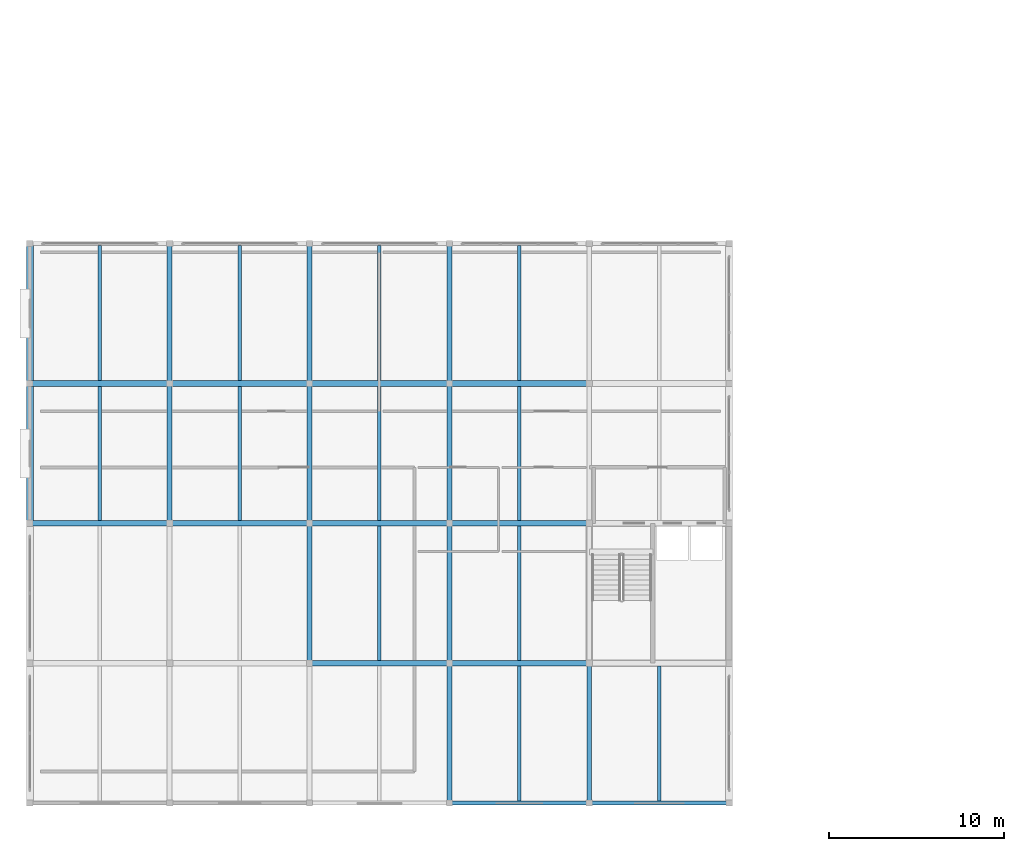
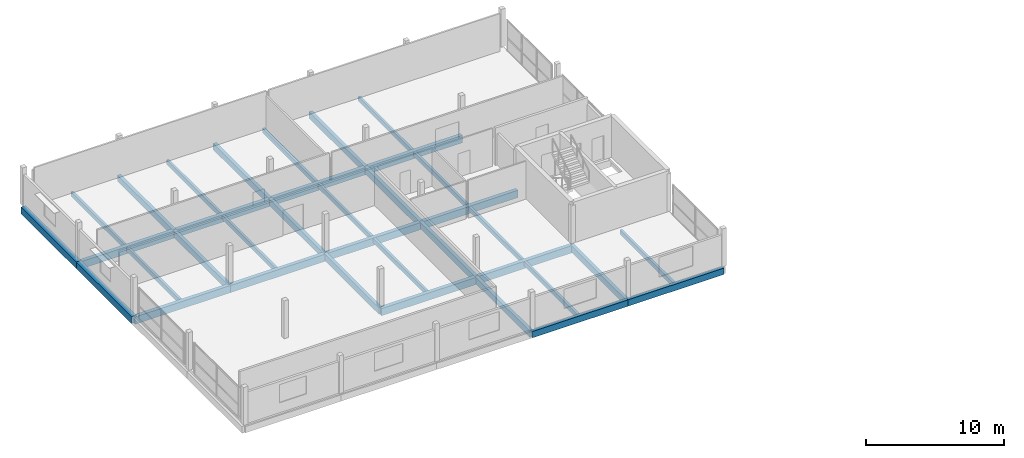
# One storey, part 4 of 22: 36 beams.
"""IFC4 building model written with IfcOpenShell, lengths in metres."""

from ifc_helpers import new_model, si_unit, direction, frame, origin, origin_2d, place, context, subcontext, project, spatial, rectangle, extrude, material, material_profile, profile_set, type_object, element, save


model = new_model("IFC4")

# Units and contexts
model_context = context("Model", 3, precision=1e-05, world=origin(), true_north=direction((0.0, 1.0)))
body_context = subcontext(model_context, "Body", "Model", "MODEL_VIEW")
ifc_project = project(units=[si_unit("LENGTHUNIT", "METRE"), si_unit("AREAUNIT", "SQUARE_METRE"), si_unit("VOLUMEUNIT", "CUBIC_METRE"), si_unit("PLANEANGLEUNIT", "RADIAN"), si_unit("MASSUNIT", "GRAM", prefix="KILO")], contexts=[model_context])

# Site, building, storey
site_placement = place(None, origin())
site = spatial("IfcSite", under=ifc_project, at=site_placement, CompositionType="ELEMENT")
building_placement = place(site_placement, origin())
building = spatial("IfcBuilding", under=site, at=building_placement, Name="Vharandega Faculty of Natural Sciences", CompositionType="ELEMENT")
storey_placement = place(building_placement, frame((0.0, 0.0, 28.800048828125)))
storey = spatial("IfcBuildingStorey", under=building, at=storey_placement, Name="L07", CompositionType="ELEMENT", Elevation=28.800048828125)

# Beams
ifc_material_1 = material(Name="Glulam GL28h", Category="wood")
ifc_material_profile_1 = material_profile(ifc_material_1, rectangle(XDim=0.280029296875, YDim=0.56005859375, at=origin_2d()), Name="GL28h 280x560")
ifc_profile_set_1 = profile_set([ifc_material_profile_1], Name="Glulam GL28h")
beam_type_1 = type_object("IfcBeamType", Name="Glulam Floor Beam 280x560", PredefinedType="BEAM", material=ifc_profile_set_1)
for number, where, z_axis, x_axis, name in (
    (1, (8.0, 48.0, -0.47998046875), (0.0, 1.0, 0.0), (-1.0, 0.0, 0.0), "Beam L07 2/G-H"),
    (2, (8.0, 56.0, -0.47998046875), (0.0, 1.0, 0.0), (-1.0, 0.0, 0.0), "Beam L07 2/H-J"),
    (3, (16.0, 40.0, -0.47998046875), (0.0, 1.0, 0.0), (-1.0, 0.0, 0.0), "Beam L07 3/F-G"),
    (4, (16.0, 48.0, -0.47998046875), (0.0, 1.0, 0.0), (-1.0, 0.0, 0.0), "Beam L07 3/G-H"),
    (5, (16.0, 56.0, -0.47998046875), (0.0, 1.0, 0.0), (-1.0, 0.0, 0.0), "Beam L07 3/H-J"),
    (6, (24.0, 32.0, -0.47998046875), (0.0, 1.0, 0.0), (-1.0, 0.0, 0.0), "Beam L07 4/E-F"),
    (7, (24.0, 40.0, -0.47998046875), (0.0, 1.0, 0.0), (-1.0, 0.0, 0.0), "Beam L07 4/F-G"),
    (8, (24.0, 48.0, -0.47998046875), (0.0, 1.0, 0.0), (-1.0, 0.0, 0.0), "Beam L07 4/G-H"),
    (9, (24.0, 56.0, -0.47998046875), (0.0, 1.0, 0.0), (-1.0, 0.0, 0.0), "Beam L07 4/H-J"),
    (10, (32.0, 32.0, -0.47998046875), (0.0, 1.0, 0.0), (-1.0, 0.0, 0.0), "Beam L07 5/E-F"),
):
    element("IfcBeam", number, at=place(storey_placement, frame(where, z_axis=z_axis, x_axis=x_axis)), inside=storey, type_object=beam_type_1, Name=name, PredefinedType="BEAM", context=body_context, shape_type="SweptSolid", body=[
        extrude(rectangle(XDim=0.280029296875, YDim=0.56005859375, at=origin_2d()), origin(), (0.0, 0.0, 1.0), 8.0),
    ])
ifc_material_2 = material(Name="Glulam GL28h", Category="wood")
ifc_material_profile_2 = material_profile(ifc_material_2, rectangle(XDim=0.320068359375, YDim=0.639892578125, at=origin_2d()), Name="GL28h 320x640")
ifc_profile_set_2 = profile_set([ifc_material_profile_2], Name="Glulam GL28h")
beam_type_2 = type_object("IfcBeamType", Name="Glulam Floor Beam 320x640", PredefinedType="BEAM", material=ifc_profile_set_2)
for number, where, z_axis, x_axis, name in (
    (11, (16.0, 40.0, -0.52001953125), (1.0, 0.0, 0.0), (0.0, 1.0, 0.0), "Beam L07 F/3-4"),
    (12, (24.0, 40.0, -0.52001953125), (1.0, 0.0, 0.0), (0.0, 1.0, 0.0), "Beam L07 F/4-5"),
    (13, (0.0, 48.0, -0.52001953125), (1.0, 0.0, 0.0), (0.0, 1.0, 0.0), "Beam L07 G/1-2"),
    (14, (8.0, 48.0, -0.52001953125), (1.0, 0.0, 0.0), (0.0, 1.0, 0.0), "Beam L07 G/2-3"),
    (15, (16.0, 48.0, -0.52001953125), (1.0, 0.0, 0.0), (0.0, 1.0, 0.0), "Beam L07 G/3-4"),
    (16, (24.0, 48.0, -0.52001953125), (1.0, 0.0, 0.0), (0.0, 1.0, 0.0), "Beam L07 G/4-5"),
    (17, (0.0, 56.0, -0.52001953125), (1.0, 0.0, 0.0), (0.0, 1.0, 0.0), "Beam L07 H/1-2"),
    (18, (8.0, 56.0, -0.52001953125), (1.0, 0.0, 0.0), (0.0, 1.0, 0.0), "Beam L07 H/2-3"),
    (19, (16.0, 56.0, -0.52001953125), (1.0, 0.0, 0.0), (0.0, 1.0, 0.0), "Beam L07 H/3-4"),
    (20, (24.0, 56.0, -0.52001953125), (1.0, 0.0, 0.0), (0.0, 1.0, 0.0), "Beam L07 H/4-5"),
):
    element("IfcBeam", number, at=place(storey_placement, frame(where, z_axis=z_axis, x_axis=x_axis)), inside=storey, type_object=beam_type_2, Name=name, PredefinedType="BEAM", context=body_context, shape_type="SweptSolid", body=[
        extrude(rectangle(XDim=0.320068359375, YDim=0.639892578125, at=origin_2d()), origin(), (0.0, 0.0, 1.0), 8.0),
    ])
ifc_material_3 = material(Name="Glulam GL28h", Category="wood")
ifc_material_profile_3 = material_profile(ifc_material_3, rectangle(XDim=0.199951171875, YDim=0.39990234375, at=origin_2d()), Name="GL28h 200x400")
ifc_profile_set_3 = profile_set([ifc_material_profile_3], Name="Glulam GL28h")
beam_type_3 = type_object("IfcBeamType", Name="Glulam Secondary Joist 200x400", PredefinedType="JOIST", material=ifc_profile_set_3)
beam_1_placement = place(storey_placement, frame((4.0, 48.159912109375, -0.400146484375), z_axis=(0.0, 1.0, 0.0), x_axis=(-1.0, 0.0, 0.0)))
element("IfcBeam", 21, at=beam_1_placement, inside=storey, type_object=beam_type_3, Name="Secondary Joist L07 1-2/G-H", PredefinedType="JOIST", context=body_context, shape_type="SweptSolid", body=[
    extrude(rectangle(XDim=0.199951171875, YDim=0.39990234375, at=origin_2d()), origin(), (0.0, 0.0, 1.0), 7.68017578125),
])
beam_2_placement = place(storey_placement, frame((4.0, 56.159912109375, -0.400146484375), z_axis=(0.0, 1.0, 0.0), x_axis=(-1.0, 0.0, 0.0)))
element("IfcBeam", 22, at=beam_2_placement, inside=storey, type_object=beam_type_3, Name="Secondary Joist L07 1-2/H-J", PredefinedType="JOIST", context=body_context, shape_type="SweptSolid", body=[
    extrude(rectangle(XDim=0.199951171875, YDim=0.39990234375, at=origin_2d()), origin(), (0.0, 0.0, 1.0), 7.719970703125),
])
beam_3_placement = place(storey_placement, frame((12.0, 48.159912109375, -0.400146484375), z_axis=(0.0, 1.0, 0.0), x_axis=(-1.0, 0.0, 0.0)))
element("IfcBeam", 23, at=beam_3_placement, inside=storey, type_object=beam_type_3, Name="Secondary Joist L07 2-3/G-H", PredefinedType="JOIST", context=body_context, shape_type="SweptSolid", body=[
    extrude(rectangle(XDim=0.199951171875, YDim=0.39990234375, at=origin_2d()), origin(), (0.0, 0.0, 1.0), 7.68017578125),
])
beam_4_placement = place(storey_placement, frame((12.0, 56.159912109375, -0.400146484375), z_axis=(0.0, 1.0, 0.0), x_axis=(-1.0, 0.0, 0.0)))
element("IfcBeam", 24, at=beam_4_placement, inside=storey, type_object=beam_type_3, Name="Secondary Joist L07 2-3/H-J", PredefinedType="JOIST", context=body_context, shape_type="SweptSolid", body=[
    extrude(rectangle(XDim=0.199951171875, YDim=0.39990234375, at=origin_2d()), origin(), (0.0, 0.0, 1.0), 7.719970703125),
])
for number, where, z_axis, x_axis, name in (
    (25, (20.0, 40.159912109375, -0.400146484375), (0.0, 1.0, 0.0), (-1.0, 0.0, 0.0), "Secondary Joist L07 3-4/F-G"),
    (26, (20.0, 48.159912109375, -0.400146484375), (0.0, 1.0, 0.0), (-1.0, 0.0, 0.0), "Secondary Joist L07 3-4/G-H"),
):
    element("IfcBeam", number, at=place(storey_placement, frame(where, z_axis=z_axis, x_axis=x_axis)), inside=storey, type_object=beam_type_3, Name=name, PredefinedType="JOIST", context=body_context, shape_type="SweptSolid", body=[
        extrude(rectangle(XDim=0.199951171875, YDim=0.39990234375, at=origin_2d()), origin(), (0.0, 0.0, 1.0), 7.68017578125),
    ])
for number, where, z_axis, x_axis, name in (
    (27, (20.0, 56.159912109375, -0.400146484375), (0.0, 1.0, 0.0), (-1.0, 0.0, 0.0), "Secondary Joist L07 3-4/H-J"),
    (28, (28.0, 32.1201171875, -0.400146484375), (0.0, 1.0, 0.0), (-1.0, 0.0, 0.0), "Secondary Joist L07 4-5/E-F"),
):
    element("IfcBeam", number, at=place(storey_placement, frame(where, z_axis=z_axis, x_axis=x_axis)), inside=storey, type_object=beam_type_3, Name=name, PredefinedType="JOIST", context=body_context, shape_type="SweptSolid", body=[
        extrude(rectangle(XDim=0.199951171875, YDim=0.39990234375, at=origin_2d()), origin(), (0.0, 0.0, 1.0), 7.719970703125),
    ])
for number, where, z_axis, x_axis, name in (
    (29, (28.0, 40.159912109375, -0.400146484375), (0.0, 1.0, 0.0), (-1.0, 0.0, 0.0), "Secondary Joist L07 4-5/F-G"),
    (30, (28.0, 48.159912109375, -0.400146484375), (0.0, 1.0, 0.0), (-1.0, 0.0, 0.0), "Secondary Joist L07 4-5/G-H"),
):
    element("IfcBeam", number, at=place(storey_placement, frame(where, z_axis=z_axis, x_axis=x_axis)), inside=storey, type_object=beam_type_3, Name=name, PredefinedType="JOIST", context=body_context, shape_type="SweptSolid", body=[
        extrude(rectangle(XDim=0.199951171875, YDim=0.39990234375, at=origin_2d()), origin(), (0.0, 0.0, 1.0), 7.68017578125),
    ])
for number, where, z_axis, x_axis, name in (
    (31, (28.0, 56.159912109375, -0.400146484375), (0.0, 1.0, 0.0), (-1.0, 0.0, 0.0), "Secondary Joist L07 4-5/H-J"),
    (32, (36.0, 32.1201171875, -0.400146484375), (0.0, 1.0, 0.0), (-1.0, 0.0, 0.0), "Secondary Joist L07 5-6/E-F"),
):
    element("IfcBeam", number, at=place(storey_placement, frame(where, z_axis=z_axis, x_axis=x_axis)), inside=storey, type_object=beam_type_3, Name=name, PredefinedType="JOIST", context=body_context, shape_type="SweptSolid", body=[
        extrude(rectangle(XDim=0.199951171875, YDim=0.39990234375, at=origin_2d()), origin(), (0.0, 0.0, 1.0), 7.719970703125),
    ])
ifc_material_4 = material(Name="Glulam GL28h", Category="wood")
ifc_material_profile_4 = material_profile(ifc_material_4, rectangle(XDim=0.239990234375, YDim=0.56005859375, at=origin_2d()), Name="GL28h 240x560")
ifc_profile_set_4 = profile_set([ifc_material_profile_4], Name="Glulam GL28h")
beam_type_4 = type_object("IfcBeamType", Name="Glulam Spandrel Edge Beam 240x560", PredefinedType="SPANDREL", material=ifc_profile_set_4)
for number, where, z_axis, x_axis, name in (
    (33, (24.0, 32.0, -0.47998046875), (1.0, 0.0, 0.0), (0.0, 1.0, 0.0), "Beam L07 E/4-5"),
    (34, (32.0, 32.0, -0.47998046875), (1.0, 0.0, 0.0), (0.0, 1.0, 0.0), "Beam L07 E/5-6"),
):
    element("IfcBeam", number, at=place(storey_placement, frame(where, z_axis=z_axis, x_axis=x_axis)), inside=storey, type_object=beam_type_4, Name=name, PredefinedType="SPANDREL", context=body_context, shape_type="SweptSolid", body=[
        extrude(rectangle(XDim=0.239990234375, YDim=0.56005859375, at=origin_2d()), origin(), (0.0, 0.0, 1.0), 8.0),
    ])
ifc_material_5 = material(Name="Glulam GL32h", Category="wood")
ifc_material_profile_5 = material_profile(ifc_material_5, rectangle(XDim=0.39990234375, YDim=0.60009765625, at=origin_2d()), Name="GL32h 400x600")
ifc_profile_set_5 = profile_set([ifc_material_profile_5], Name="Glulam GL32h")
beam_type_5 = type_object("IfcBeamType", Name="Glulam Spine Girder 400x600", PredefinedType="BEAM", material=ifc_profile_set_5)
for number, where, z_axis, x_axis, name in (
    (35, (0.0, 48.0, -0.5), (0.0, 1.0, 0.0), (-1.0, 0.0, 0.0), "Beam L07 1/G-H"),
    (36, (0.0, 56.0, -0.5), (0.0, 1.0, 0.0), (-1.0, 0.0, 0.0), "Beam L07 1/H-J"),
):
    element("IfcBeam", number, at=place(storey_placement, frame(where, z_axis=z_axis, x_axis=x_axis)), inside=storey, type_object=beam_type_5, Name=name, PredefinedType="BEAM", context=body_context, shape_type="SweptSolid", body=[
        extrude(rectangle(XDim=0.39990234375, YDim=0.60009765625, at=origin_2d()), origin(), (0.0, 0.0, 1.0), 8.0),
    ])

save(model, "model.ifc")
